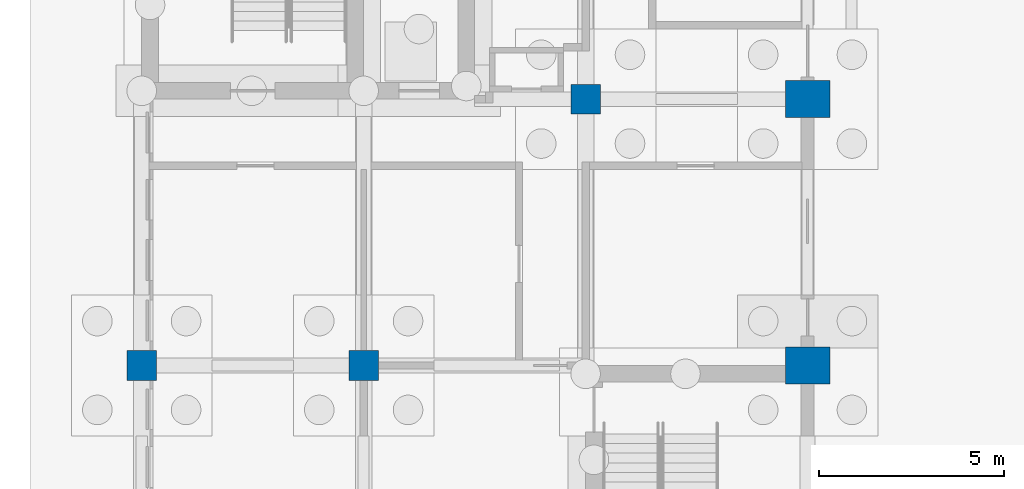
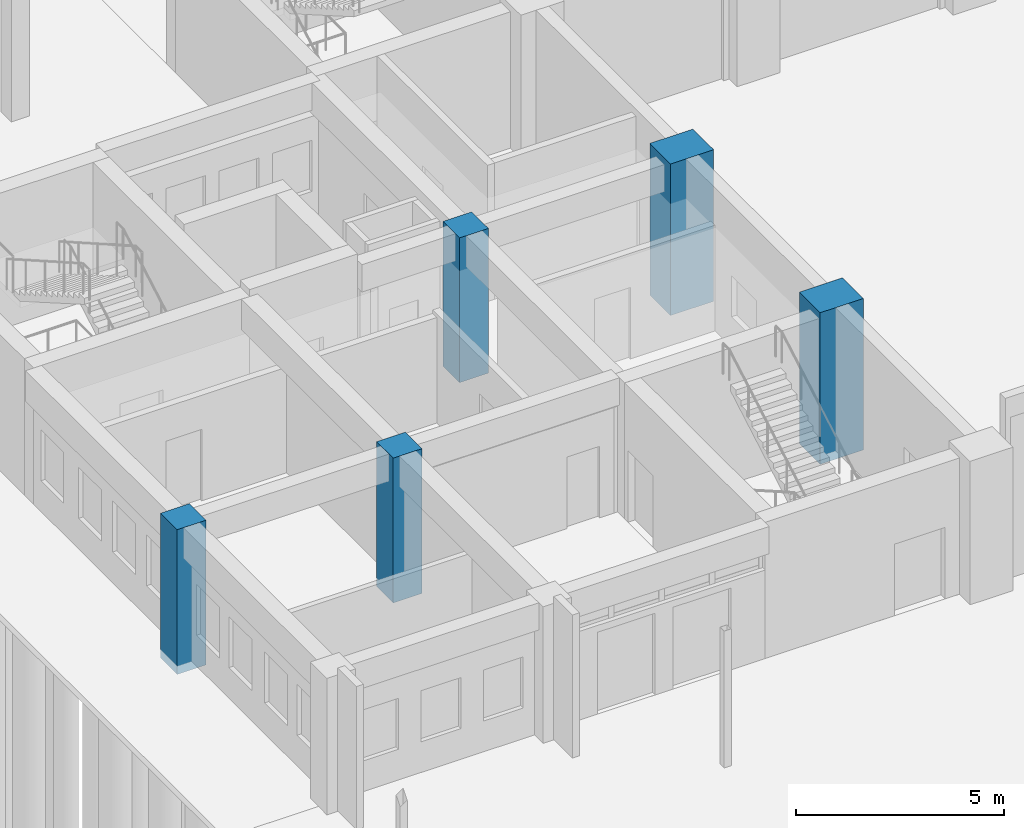
# One storey, part 9 of 37: 5 columns.
"""IFC4 building model written with IfcOpenShell, lengths in metres."""

from ifc_helpers import new_model, si_unit, direction, frame, origin, origin_2d, place, context, subcontext, project, spatial, rectangle, extrude, material, material_profile, profile_set, type_object, element, save


model = new_model("IFC4")

# Units and contexts
model_context = context("Model", 3, precision=1e-05, world=origin(), true_north=direction((0.0, 1.0)))
body_context = subcontext(model_context, "Body", "Model", "MODEL_VIEW")
ifc_project = project(units=[si_unit("LENGTHUNIT", "METRE"), si_unit("AREAUNIT", "SQUARE_METRE"), si_unit("VOLUMEUNIT", "CUBIC_METRE"), si_unit("PLANEANGLEUNIT", "RADIAN"), si_unit("MASSUNIT", "GRAM", prefix="KILO")], contexts=[model_context])

# Site, building, storey
site_placement = place(None, origin())
site = spatial("IfcSite", under=ifc_project, at=site_placement, CompositionType="ELEMENT")
building_placement = place(site_placement, origin())
building = spatial("IfcBuilding", under=site, at=building_placement, Name="Laocheng Heights Fire and Rescue Headquarters", CompositionType="ELEMENT")
storey_placement = place(building_placement, origin())
storey = spatial("IfcBuildingStorey", under=building, at=storey_placement, Name="L00", CompositionType="ELEMENT", Elevation=0.0)

# Columns
ifc_material_1 = material(Name="Concrete C60", Category="concrete")
ifc_material_profile_1 = material_profile(ifc_material_1, rectangle(XDim=1.199951171875, YDim=1.0, at=origin_2d()), Name="RC COLUMN 1200x1000 BAY PIER")
ifc_profile_set_1 = profile_set([ifc_material_profile_1], Name="Concrete C60")
column_type_1 = type_object("IfcColumnType", Name="RC COLUMN 1200x1000 BAY PIER", PredefinedType="COLUMN", material=ifc_profile_set_1)
for number, where, z_axis, x_axis, name in (
    (1, (18.0, 7.199951171875, -0.25), (0.0, 0.0, 1.0), (1.0, 0.0, 0.0), "Bay pier 4/B"),
    (2, (18.0, 14.39990234375, -0.25), (0.0, 0.0, 1.0), (1.0, 0.0, 0.0), "Bay pier 4/C"),
):
    element("IfcColumn", number, at=place(storey_placement, frame(where, z_axis=z_axis, x_axis=x_axis)), inside=storey, type_object=column_type_1, Name=name, PredefinedType="COLUMN", context=body_context, shape_type="SweptSolid", body=[
        extrude(rectangle(XDim=1.199951171875, YDim=1.0, at=origin_2d()), origin(), (0.0, 0.0, 1.0), 4.449951171875),
    ])
ifc_material_2 = material(Name="Concrete C50", Category="concrete")
ifc_material_profile_2 = material_profile(ifc_material_2, rectangle(XDim=0.800048828125, YDim=0.800048828125, at=origin_2d()), Name="RC COLUMN 800x800 PAVILION")
ifc_profile_set_2 = profile_set([ifc_material_profile_2], Name="Concrete C50")
column_type_2 = type_object("IfcColumnType", Name="RC COLUMN 800x800 PAVILION", PredefinedType="COLUMN", material=ifc_profile_set_2)
for number, where, z_axis, x_axis, name in (
    (3, (0.0, 7.199951171875, -0.25), (0.0, 0.0, 1.0), (1.0, 0.0, 0.0), "Pavilion column"),
    (4, (6.0, 7.199951171875, -0.25), (0.0, 0.0, 1.0), (1.0, 0.0, 0.0), "Pavilion column"),
    (5, (12.0, 14.39990234375, -0.25), (0.0, 0.0, 1.0), (1.0, 0.0, 0.0), "Pavilion column"),
):
    element("IfcColumn", number, at=place(storey_placement, frame(where, z_axis=z_axis, x_axis=x_axis)), inside=storey, type_object=column_type_2, Name=name, PredefinedType="COLUMN", context=body_context, shape_type="SweptSolid", body=[
        extrude(rectangle(XDim=0.800048828125, YDim=0.800048828125, at=origin_2d()), origin(), (0.0, 0.0, 1.0), 4.25),
    ])

save(model, "model.ifc")
